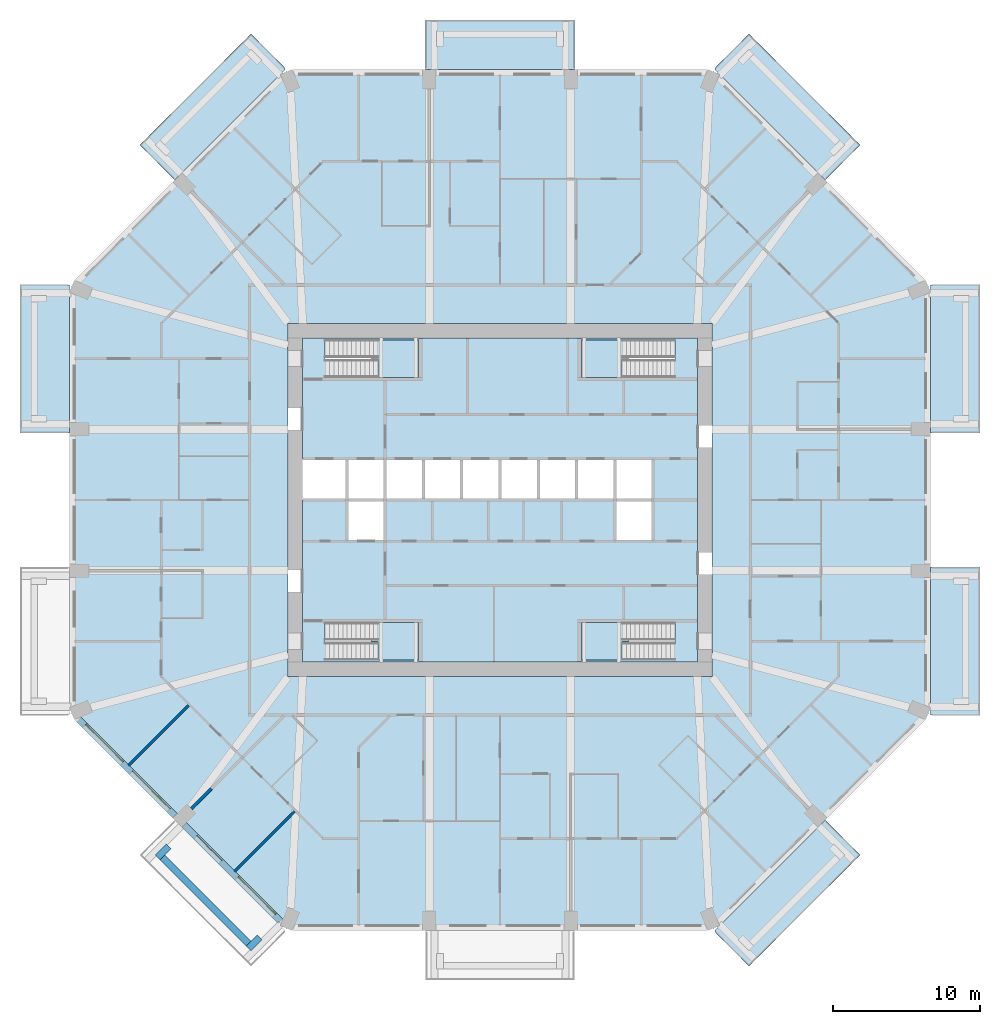
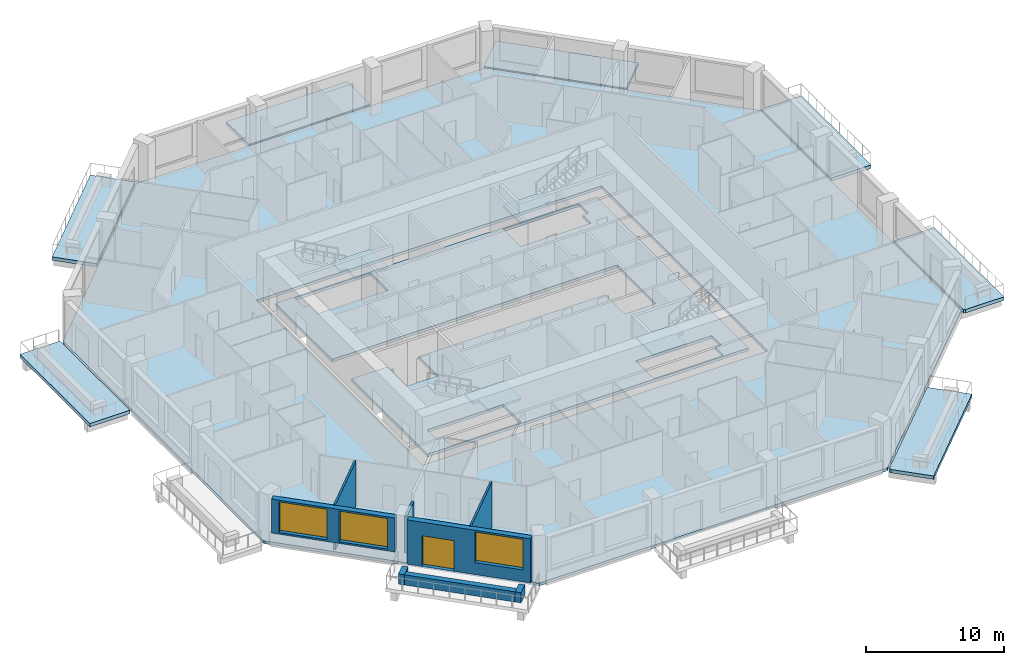
# One storey, part 2 of 13: 13 slabs, 8 walls, 3 windows, 1 door, 4 openings, 4 elements without a shape of their own.
"""IFC4 building model written with IfcOpenShell, lengths in metres."""

from ifc_helpers import new_model, si_unit, direction, frame, frame_2d, origin, place, context, subcontext, project, spatial, polyline, rectangle, outline, extrude, material, layer, layer_set, type_object, element, fill, aggregate, save


model = new_model("IFC4")

# Units and contexts
model_context = context("Model", 3, precision=1e-05, world=origin(), true_north=direction((0.0, 1.0)))
body_context = subcontext(model_context, "Body", "Model", "MODEL_VIEW")
ifc_project = project(units=[si_unit("LENGTHUNIT", "METRE"), si_unit("AREAUNIT", "SQUARE_METRE"), si_unit("VOLUMEUNIT", "CUBIC_METRE"), si_unit("PLANEANGLEUNIT", "RADIAN"), si_unit("MASSUNIT", "GRAM", prefix="KILO")], contexts=[model_context])

# Site, building, storey
site_placement = place(None, origin())
site = spatial("IfcSite", under=ifc_project, at=site_placement, CompositionType="ELEMENT")
building_placement = place(site_placement, origin())
building = spatial("IfcBuilding", under=site, at=building_placement, Name="Msitu Wima Residences", CompositionType="ELEMENT")
storey_placement = place(building_placement, frame((0.0, 0.0, 29.699951171875)))
storey = spatial("IfcBuildingStorey", under=building, at=storey_placement, Name="L06", CompositionType="ELEMENT", Elevation=29.699951171875)

# Slabs
ifc_material_1 = material(Name="Concrete C40/50", Category="concrete")
ifc_layer_1 = layer(ifc_material_1, 0.300048828125)
ifc_layer_set_1 = layer_set([ifc_layer_1], Name="Concrete C40/50")
slab_type_1 = type_object("IfcSlabType", Name="Balcony slab BS300", PredefinedType="FLOOR", material=ifc_layer_set_1)
slab_1_placement = place(storey_placement, frame((0.0, 0.0, -0.300048828125)))
element("IfcSlab", 1, at=slab_1_placement, inside=storey, type_object=slab_type_1, Name="Balcony E0 L06", PredefinedType="FLOOR", context=body_context, shape_type="SweptSolid", body=[
    extrude(outline(polyline([(29.25, -14.099365234375), (29.25, -14.099365234375), (29.25, -5.25), (29.25, -4.550048828125), (32.60009765625, -4.550048828125), (32.60009765625, -14.64990234375), (29.403564453125, -14.64990234375), (29.25, -14.58642578125), (29.25, -14.099365234375), (29.25, -14.099365234375)])), origin(), (0.0, 0.0, 1.0), 0.300048828125),
])
slab_2_placement = place(storey_placement, frame((0.0, 0.0, -0.300048828125)))
element("IfcSlab", 2, at=slab_2_placement, inside=storey, type_object=slab_type_1, Name="Balcony E2 L06", PredefinedType="FLOOR", context=body_context, shape_type="SweptSolid", body=[
    extrude(outline(polyline([(29.25, 14.099365234375), (29.25, 14.099365234375), (29.25, 14.099365234375), (29.25, 14.58642578125), (29.403564453125, 14.64990234375), (32.60009765625, 14.64990234375), (32.60009765625, 4.550048828125), (29.25, 4.550048828125), (29.25, 5.25), (29.25, 14.099365234375)])), origin(), (0.0, 0.0, 1.0), 0.300048828125),
])
slab_3_placement = place(storey_placement, frame((0.0, 0.0, -0.300048828125)))
element("IfcSlab", 3, at=slab_3_placement, inside=storey, type_object=slab_type_1, Name="Balcony NE1 L06", PredefinedType="FLOOR", context=body_context, shape_type="SweptSolid", body=[
    extrude(outline(polyline([(16.91015625, 31.663818359375), (24.4638671875, 24.1103515625), (22.094970703125, 21.741455078125), (14.58642578125, 29.25), (14.64990234375, 29.403564453125), (16.91015625, 31.663818359375)])), origin(), (0.0, 0.0, 1.0), 0.300048828125),
])
slab_4_placement = place(storey_placement, frame((0.0, 0.0, -0.300048828125)))
element("IfcSlab", 4, at=slab_4_placement, inside=storey, type_object=slab_type_1, Name="Balcony N1 L06", PredefinedType="FLOOR", context=body_context, shape_type="SweptSolid", body=[
    extrude(outline(polyline([(4.35009765625, 29.25), (-4.35009765625, 29.25), (-5.050048828125, 29.25), (-5.050048828125, 32.60009765625), (5.050048828125, 32.60009765625), (5.050048828125, 29.25), (4.35009765625, 29.25)])), origin(), (0.0, 0.0, 1.0), 0.300048828125),
])
slab_5_placement = place(storey_placement, frame((0.0, 0.0, -0.300048828125)))
element("IfcSlab", 5, at=slab_5_placement, inside=storey, type_object=slab_type_1, Name="Balcony NW0 L06", PredefinedType="FLOOR", context=body_context, shape_type="SweptSolid", body=[
    extrude(outline(polyline([(-24.4638671875, 24.1103515625), (-16.91015625, 31.663818359375), (-14.64990234375, 29.403564453125), (-14.58642578125, 29.25), (-22.094970703125, 21.741455078125), (-24.4638671875, 24.1103515625)])), origin(), (0.0, 0.0, 1.0), 0.300048828125),
])
slab_6_placement = place(storey_placement, frame((0.0, 0.0, -0.300048828125)))
element("IfcSlab", 6, at=slab_6_placement, inside=storey, type_object=slab_type_1, Name="Balcony W0 L06", PredefinedType="FLOOR", context=body_context, shape_type="SweptSolid", body=[
    extrude(outline(polyline([(-29.25, 14.099365234375), (-29.25, 14.099365234375), (-29.25, 5.25), (-29.25, 4.550048828125), (-32.60009765625, 4.550048828125), (-32.60009765625, 14.64990234375), (-29.403564453125, 14.64990234375), (-29.25, 14.58642578125), (-29.25, 14.099365234375), (-29.25, 14.099365234375)])), origin(), (0.0, 0.0, 1.0), 0.300048828125),
])
slab_7_placement = place(storey_placement, frame((0.0, 0.0, -0.300048828125)))
element("IfcSlab", 7, at=slab_7_placement, inside=storey, type_object=slab_type_1, Name="Balcony SE0 L06", PredefinedType="FLOOR", context=body_context, shape_type="SweptSolid", body=[
    extrude(outline(polyline([(24.4638671875, -24.1103515625), (16.91015625, -31.663818359375), (14.64990234375, -29.403564453125), (14.58642578125, -29.25), (22.094970703125, -21.741455078125), (24.4638671875, -24.1103515625)])), origin(), (0.0, 0.0, 1.0), 0.300048828125),
])
ifc_layer_2 = layer(ifc_material_1, 0.25)
ifc_layer_set_2 = layer_set([ifc_layer_2], Name="Concrete C40/50")
slab_type_2 = type_object("IfcSlabType", Name="Core floor CF250", PredefinedType="FLOOR", material=ifc_layer_set_2)
slab_8_placement = place(storey_placement, frame((0.0, 0.0, -0.25)))
element("IfcSlab", 8, at=slab_8_placement, inside=storey, type_object=slab_type_2, Name="Core floor", PredefinedType="FLOOR", context=body_context, shape_type="SweptSolid", body=[
    extrude(outline(polyline([(-13.39990234375, 11.0), (-13.39990234375, 2.800048828125), (-10.39990234375, 2.800048828125), (-7.800048828125, 2.800048828125), (-5.199951171875, 2.800048828125), (-2.60009765625, 2.800048828125), (0.0, 2.800048828125), (2.60009765625, 2.800048828125), (5.199951171875, 2.800048828125), (7.800048828125, 2.800048828125), (10.39990234375, 2.800048828125), (10.39990234375, 0.0), (10.39990234375, -2.800048828125), (7.800048828125, -2.800048828125), (7.800048828125, 0.0), (5.199951171875, 0.0), (2.60009765625, 0.0), (0.0, 0.0), (-2.60009765625, 0.0), (-5.199951171875, 0.0), (-7.800048828125, 0.0), (-7.800048828125, -2.800048828125), (-10.39990234375, -2.800048828125), (-10.39990234375, 0.0), (-13.39990234375, 0.0), (-13.39990234375, -11.0), (13.39990234375, -11.0), (13.39990234375, 11.0), (-13.39990234375, 11.0)]), holes=[polyline([(-11.375, -10.875), (-11.375, -9.675048828125), (-11.87451171875, -9.675048828125), (-11.87451171875, -8.324951171875), (-5.52490234375, -8.324951171875), (-5.52490234375, -10.875), (-11.375, -10.875)]), polyline([(-11.375, 9.52490234375), (-11.87451171875, 9.52490234375), (-11.87451171875, 10.875), (-5.52490234375, 10.875), (-5.52490234375, 8.324951171875), (-11.375, 8.324951171875), (-11.375, 9.52490234375)]), polyline([(11.375, -9.675048828125), (11.375, -10.875), (5.52490234375, -10.875), (5.52490234375, -8.324951171875), (11.87451171875, -8.324951171875), (11.87451171875, -9.675048828125), (11.375, -9.675048828125)]), polyline([(11.375, 9.52490234375), (11.375, 8.324951171875), (5.52490234375, 8.324951171875), (5.52490234375, 10.875), (11.87451171875, 10.875), (11.87451171875, 9.52490234375), (11.375, 9.52490234375)])]), origin(), (0.0, 0.0, 1.0), 0.25),
])
ifc_layer_3 = layer(ifc_material_1, 0.25)
ifc_layer_set_3 = layer_set([ifc_layer_3], Name="Concrete C40/50")
slab_type_3 = type_object("IfcSlabType", Name="PT flat slab 250 Concrete C40/50", PredefinedType="FLOOR", material=ifc_layer_set_3)
slab_9_placement = place(storey_placement, frame((0.0, 0.0, -0.25)))
element("IfcSlab", 9, at=slab_9_placement, inside=storey, type_object=slab_type_3, Name="Floor slab L06", PredefinedType="FLOOR", context=body_context, shape_type="SweptSolid", body=[
    extrude(outline(polyline([(29.10009765625, -14.524169921875), (14.524169921875, -29.10009765625), (-14.524169921875, -29.10009765625), (-29.10009765625, -14.524169921875), (-29.10009765625, 14.524169921875), (-14.524169921875, 29.10009765625), (14.524169921875, 29.10009765625), (29.10009765625, 14.524169921875), (29.10009765625, -14.524169921875)]), holes=[polyline([(-14.39990234375, -12.0), (14.39990234375, -12.0), (14.39990234375, 12.0), (-14.39990234375, 12.0), (-14.39990234375, -12.0)])]), origin(), (0.0, 0.0, 1.0), 0.25),
])

# Stair, slab
stair_type = type_object("IfcStairType", Name="Exit stair ES1615-120", PredefinedType="HALF_TURN_STAIR", material=ifc_material_1)
stair_1_placement = place(storey_placement, origin())
stair_1 = element("IfcStair", 10, at=stair_1_placement, inside=storey, type_object=stair_type, Name="Exit stair 1", PredefinedType="HALF_TURN_STAIR")
ifc_layer_4 = layer(ifc_material_1, 0.199951171875)
ifc_layer_set_4 = layer_set([ifc_layer_4], Name="Concrete C40/50")
slab_type_4 = type_object("IfcSlabType", Name="Stair landing SL200", PredefinedType="LANDING", material=ifc_layer_set_4)
slab_10_placement = place(storey_placement, frame((0.0, 0.0, 1.900146484375)))
slab_10 = element("IfcSlab", 11, at=slab_10_placement, type_object=slab_type_4, Name="S1 landing 1", PredefinedType="LANDING", context=body_context, shape_type="SweptSolid", body=[
    extrude(outline(polyline([(-5.52490234375, 8.324951171875), (-8.275390625, 8.324951171875), (-8.275390625, 9.60009765625), (-8.77490234375, 9.60009765625), (-8.77490234375, 10.875), (-5.52490234375, 10.875), (-5.52490234375, 8.324951171875)])), origin(), (0.0, 0.0, 1.0), 0.199951171875),
])
aggregate(stair_1, [slab_10])

stair_2_placement = place(storey_placement, origin())
stair_2 = element("IfcStair", 12, at=stair_2_placement, inside=storey, type_object=stair_type, Name="Exit stair 2", PredefinedType="HALF_TURN_STAIR")
slab_11_placement = place(storey_placement, frame((0.0, 0.0, 1.900146484375)))
slab_11 = element("IfcSlab", 13, at=slab_11_placement, type_object=slab_type_4, Name="S2 landing 1", PredefinedType="LANDING", context=body_context, shape_type="SweptSolid", body=[
    extrude(outline(polyline([(-5.52490234375, -10.875), (-8.275390625, -10.875), (-8.275390625, -9.60009765625), (-8.77490234375, -9.60009765625), (-8.77490234375, -8.324951171875), (-5.52490234375, -8.324951171875), (-5.52490234375, -10.875)])), origin(), (0.0, 0.0, 1.0), 0.199951171875),
])
aggregate(stair_2, [slab_11])

stair_3_placement = place(storey_placement, origin())
stair_3 = element("IfcStair", 14, at=stair_3_placement, inside=storey, type_object=stair_type, Name="Exit stair 3", PredefinedType="HALF_TURN_STAIR")
slab_12_placement = place(storey_placement, frame((0.0, 0.0, 1.900146484375)))
slab_12 = element("IfcSlab", 15, at=slab_12_placement, type_object=slab_type_4, Name="S3 landing 1", PredefinedType="LANDING", context=body_context, shape_type="SweptSolid", body=[
    extrude(outline(polyline([(5.52490234375, 8.324951171875), (8.275390625, 8.324951171875), (8.275390625, 9.60009765625), (8.77490234375, 9.60009765625), (8.77490234375, 10.875), (5.52490234375, 10.875), (5.52490234375, 8.324951171875)])), origin(), (0.0, 0.0, 1.0), 0.199951171875),
])
aggregate(stair_3, [slab_12])

stair_4_placement = place(storey_placement, origin())
stair_4 = element("IfcStair", 16, at=stair_4_placement, inside=storey, type_object=stair_type, Name="Exit stair 4", PredefinedType="HALF_TURN_STAIR")
slab_13_placement = place(storey_placement, frame((0.0, 0.0, 1.900146484375)))
slab_13 = element("IfcSlab", 17, at=slab_13_placement, type_object=slab_type_4, Name="S4 landing 1", PredefinedType="LANDING", context=body_context, shape_type="SweptSolid", body=[
    extrude(outline(polyline([(5.52490234375, -10.875), (8.275390625, -10.875), (8.275390625, -9.60009765625), (8.77490234375, -9.60009765625), (8.77490234375, -8.324951171875), (5.52490234375, -8.324951171875), (5.52490234375, -10.875)])), origin(), (0.0, 0.0, 1.0), 0.199951171875),
])
aggregate(stair_4, [slab_13])

# Walls
ifc_material_2 = material(Name="Facing brick")
ifc_layer_5 = layer(ifc_material_2, 0.06494140625, Name="Facing brick")
ifc_layer_6 = layer(ifc_material_1, 0.156005859375, Name="Concrete C40/50")
ifc_material_3 = material(Name="Waterproofing membrane")
ifc_layer_7 = layer(ifc_material_3, 0.00390625, Name="Waterproofing membrane")
ifc_material_4 = material(Name="Planting soil and planting")
ifc_layer_8 = layer(ifc_material_4, 0.22509765625, Name="Planting soil and planting")
ifc_layer_set_5 = layer_set([ifc_layer_5, ifc_layer_6, ifc_layer_7, ifc_layer_8], Name="Concrete C40/50")
wall_type_1 = type_object("IfcWallType", Name="Balcony planter PLANTER PL450", PredefinedType="USERDEFINED", material=ifc_layer_set_5)
wall_1_placement = place(storey_placement, frame((-22.92578125, -24.269287109375, 0.0), z_axis=(0.0, 0.0, 1.0), x_axis=(0.707106781187, -0.707106781187, 0.0)))
element("IfcWall", 18, at=wall_1_placement, inside=storey, type_object=wall_type_1, Name="Balcony planter SW1 L06", ObjectType="PLANTER", PredefinedType="USERDEFINED", context=body_context, shape_type="SweptSolid", body=[
    extrude(rectangle(XDim=8.2822265625, YDim=0.449951171875, at=frame_2d((4.14111328125, 0.0))), origin(), (0.0, 0.0, 1.0), 0.900146484375),
])
for number, where, z_axis, x_axis, name in (
    (19, (-22.50146484375, -23.52685546875, 0.0), (0.0, 0.0, 1.0), (-0.707223014731, -0.706990528533, 0.0), "Balcony planter SW1 L06"),
    (20, (-16.326904296875, -29.70166015625, 0.0), (0.0, 0.0, 1.0), (-0.707106781187, -0.707106781187, 0.0), "Balcony planter SW1 L06"),
):
    element("IfcWall", number, at=place(storey_placement, frame(where, z_axis=z_axis, x_axis=x_axis)), inside=storey, type_object=wall_type_1, Name=name, ObjectType="PLANTER", PredefinedType="USERDEFINED", context=body_context, shape_type="SweptSolid", body=[
        extrude(rectangle(XDim=1.050048828125, YDim=0.449951171875, at=frame_2d((0.52490234375, 0.0))), origin(), (0.0, 0.0, 1.0), 0.900146484375),
    ])

# Wall, openings, windows
ifc_material_5 = material(Name="Brick (red buff mix)", Category="masonry")
ifc_layer_9 = layer(ifc_material_5, 0.449951171875)
ifc_layer_set_6 = layer_set([ifc_layer_9], Name="Brick (red buff mix)")
wall_type_2 = type_object("IfcWallType", Name="Brick infill wall BW450", PredefinedType="SOLIDWALL", material=ifc_layer_set_6)
wall_2_placement = place(storey_placement, frame((-28.61474609375, -14.903564453125, 0.900146484375), z_axis=(0.0, 0.0, 1.0), x_axis=(0.707106781187, -0.707106781187, 0.0)))
wall_2 = element("IfcWall", 21, at=wall_2_placement, inside=storey, type_object=wall_type_2, Name="Brick infill wall L06 SW0", PredefinedType="SOLIDWALL", context=body_context, shape_type="SweptSolid", body=[
    extrude(rectangle(XDim=9.2451171875, YDim=0.449951171875, at=frame_2d((4.62255859375, 0.0))), origin(), (0.0, 0.0, 1.0), 3.0),
])
opening_1_placement = place(wall_2_placement, frame((0.572509765625, 0.0, 0.14990234375)))
opening_1 = element("IfcOpeningElement", 22, at=opening_1_placement, cuts=wall_2, Name="Opening W05-07.024", PredefinedType="OPENING", context=body_context, shape_type="SweptSolid", body=[
    extrude(rectangle(XDim=3.60009765625, YDim=2.699951171875, at=frame_2d((1.800048828125, 1.35009765625))), frame((0.0, 0.23486328125, 0.0), z_axis=(0.0, -1.0, 0.0), x_axis=(1.0, 0.0, 0.0)), (0.0, 0.0, 1.0), 0.469970703125),
])
opening_2_placement = place(wall_2_placement, frame((5.072509765625, 0.0, 0.14990234375)))
opening_2 = element("IfcOpeningElement", 23, at=opening_2_placement, cuts=wall_2, Name="Opening W05-07.025", PredefinedType="OPENING", context=body_context, shape_type="SweptSolid", body=[
    extrude(rectangle(XDim=3.60009765625, YDim=2.699951171875, at=frame_2d((1.800048828125, 1.35009765625))), frame((0.0, 0.23486328125, 0.0), z_axis=(0.0, -1.0, 0.0), x_axis=(1.0, 0.0, 0.0)), (0.0, 0.0, 1.0), 0.469970703125),
])
ifc_material_6 = material(Name="Anodised aluminium, bronze finish, clear low-emissivity double glazing", Category="aluminium")
window_type = type_object("IfcWindowType", Name="Window W3600x2700", PartitioningType="DOUBLE_PANEL_VERTICAL", PredefinedType="WINDOW", material=ifc_material_6)
window_1_placement = place(opening_1_placement, origin())
window_1 = element("IfcWindow", 24, at=window_1_placement, inside=storey, type_object=window_type, Name="Window L06 SW0.1", OverallHeight=2.699951171875, OverallWidth=3.60009765625, PartitioningType="SINGLE_PANEL", PredefinedType="WINDOW", context=body_context, shape_type="SweptSolid", body=[
    extrude(rectangle(XDim=3.60009765625, YDim=2.699951171875, at=frame_2d((1.800048828125, 1.35009765625))), frame((0.0, 0.135009765625, 0.0), z_axis=(0.0, -1.0, 0.0), x_axis=(1.0, 0.0, 0.0)), (0.0, 0.0, 1.0), 0.06005859375),
])
fill(opening_1, window_1)
window_2_placement = place(opening_2_placement, origin())
window_2 = element("IfcWindow", 25, at=window_2_placement, inside=storey, type_object=window_type, Name="Window L06 SW0.2", OverallHeight=2.699951171875, OverallWidth=3.60009765625, PartitioningType="SINGLE_PANEL", PredefinedType="WINDOW", context=body_context, shape_type="SweptSolid", body=[
    extrude(rectangle(XDim=3.60009765625, YDim=2.699951171875, at=frame_2d((1.800048828125, 1.35009765625))), frame((0.0, 0.135009765625, 0.0), z_axis=(0.0, -1.0, 0.0), x_axis=(1.0, 0.0, 0.0)), (0.0, 0.0, 1.0), 0.06005859375),
])
fill(opening_2, window_2)

# Wall, openings, door, window
wall_3_placement = place(storey_placement, frame((-21.44091796875, -22.077392578125, 0.0), z_axis=(0.0, 0.0, 1.0), x_axis=(0.707106781187, -0.707106781187, 0.0)))
wall_3 = element("IfcWall", 26, at=wall_3_placement, inside=storey, type_object=wall_type_2, Name="Brick infill wall L06 SW1", PredefinedType="SOLIDWALL", context=body_context, shape_type="SweptSolid", body=[
    extrude(rectangle(XDim=9.2451171875, YDim=0.449951171875, at=frame_2d((4.62255859375, 0.0))), origin(), (0.0, 0.0, 1.0), 3.900146484375),
])
opening_3_placement = place(wall_3_placement, frame((1.111328125, 0.0, 0.0)))
opening_3 = element("IfcOpeningElement", 27, at=opening_3_placement, cuts=wall_3, Name="Opening D05-07.008", PredefinedType="OPENING", context=body_context, shape_type="SweptSolid", body=[
    extrude(rectangle(XDim=2.39990234375, YDim=2.699951171875, at=frame_2d((1.199951171875, 1.35009765625))), frame((0.0, 0.23486328125, 0.0), z_axis=(0.0, -1.0, 0.0), x_axis=(1.0, 0.0, 0.0)), (0.0, 0.0, 1.0), 0.469970703125),
])
opening_4_placement = place(wall_3_placement, frame((5.072509765625, 0.0, 1.050048828125)))
opening_4 = element("IfcOpeningElement", 28, at=opening_4_placement, cuts=wall_3, Name="Opening W05-07.026", PredefinedType="OPENING", context=body_context, shape_type="SweptSolid", body=[
    extrude(rectangle(XDim=3.60009765625, YDim=2.699951171875, at=frame_2d((1.800048828125, 1.35009765625))), frame((0.0, 0.23486328125, 0.0), z_axis=(0.0, -1.0, 0.0), x_axis=(1.0, 0.0, 0.0)), (0.0, 0.0, 1.0), 0.469970703125),
])
door_type = type_object("IfcDoorType", Name="Balcony door D2400x2700", OperationType="SLIDING_TO_LEFT", PredefinedType="DOOR", material=ifc_material_6)
door_placement = place(opening_3_placement, origin())
door = element("IfcDoor", 29, at=door_placement, inside=storey, type_object=door_type, Name="Balcony door L06 SW1", OperationType="SINGLE_SWING_LEFT", OverallHeight=2.699951171875, OverallWidth=2.39990234375, PredefinedType="DOOR", context=body_context, shape_type="SweptSolid", body=[
    extrude(rectangle(XDim=2.39990234375, YDim=2.699951171875, at=frame_2d((1.199951171875, 1.35009765625))), frame((0.0, 0.1298828125, 0.0), z_axis=(0.0, -1.0, 0.0), x_axis=(1.0, 0.0, 0.0)), (0.0, 0.0, 1.0), 0.050048828125),
])
fill(opening_3, door)
window_3_placement = place(opening_4_placement, origin())
window_3 = element("IfcWindow", 30, at=window_3_placement, inside=storey, type_object=window_type, Name="Window L06 SW1.2", OverallHeight=2.699951171875, OverallWidth=3.60009765625, PartitioningType="SINGLE_PANEL", PredefinedType="WINDOW", context=body_context, shape_type="SweptSolid", body=[
    extrude(rectangle(XDim=3.60009765625, YDim=2.699951171875, at=frame_2d((1.800048828125, 1.35009765625))), frame((0.0, 0.135009765625, 0.0), z_axis=(0.0, -1.0, 0.0), x_axis=(1.0, 0.0, 0.0)), (0.0, 0.0, 1.0), 0.06005859375),
])
fill(opening_4, window_3)

# Walls
ifc_material_7 = material(Name="Plaster")
ifc_layer_10 = layer(ifc_material_7, 0.011962890625, Name="Plaster")
ifc_material_8 = material(Name="Concrete blockwork", Category="masonry")
ifc_layer_11 = layer(ifc_material_8, 0.1259765625, Name="Concrete blockwork")
ifc_layer_12 = layer(ifc_material_7, 0.011962890625, Name="Plaster")
ifc_layer_set_7 = layer_set([ifc_layer_10, ifc_layer_11, ifc_layer_12], Name="Concrete blockwork")
wall_type_3 = type_object("IfcWallType", Name="Partition PW150", PredefinedType="PARTITIONING", material=ifc_layer_set_7)
for number, where, z_axis, x_axis, name in (
    (31, (-25.23876953125, -18.038818359375, 0.0), (0.0, 0.0, 1.0), (0.707106781187, 0.707106781187, 0.0), "Partition"),
    (32, (-18.038818359375, -25.23876953125, 0.0), (0.0, 0.0, 1.0), (0.707106781187, 0.707106781187, 0.0), "Partition"),
):
    element("IfcWall", number, at=place(storey_placement, frame(where, z_axis=z_axis, x_axis=x_axis)), inside=storey, type_object=wall_type_3, Name=name, PredefinedType="PARTITIONING", context=body_context, shape_type="SweptSolid", body=[
        extrude(rectangle(XDim=5.77978515625, YDim=0.14990234375, at=frame_2d((2.889892578125, 0.0))), origin(), (0.0, 0.0, 1.0), 3.949951171875),
    ])
ifc_layer_13 = layer(ifc_material_7, 0.011962890625, Name="Plaster")
ifc_material_9 = material(Name="Dense concrete blockwork", Category="masonry")
ifc_layer_14 = layer(ifc_material_9, 0.176025390625, Name="Dense concrete blockwork")
ifc_layer_15 = layer(ifc_material_7, 0.011962890625, Name="Plaster")
ifc_layer_set_8 = layer_set([ifc_layer_13, ifc_layer_14, ifc_layer_15], Name="Dense concrete blockwork")
wall_type_4 = type_object("IfcWallType", Name="Party wall PW200", PredefinedType="PARTITIONING", material=ifc_layer_set_8)
wall_4_placement = place(storey_placement, frame((-20.963623046875, -20.963623046875, 0.0), z_axis=(0.0, 0.0, 1.0), x_axis=(0.707106781187, 0.707106781187, 0.0)))
element("IfcWall", 33, at=wall_4_placement, inside=storey, type_object=wall_type_4, Name="Party wall", PredefinedType="PARTITIONING", context=body_context, shape_type="SweptSolid", body=[
    extrude(rectangle(XDim=1.92041015625, YDim=0.199951171875, at=frame_2d((0.960205078125, 0.0))), origin(), (0.0, 0.0, 1.0), 3.25),
])

save(model, "model.ifc")
